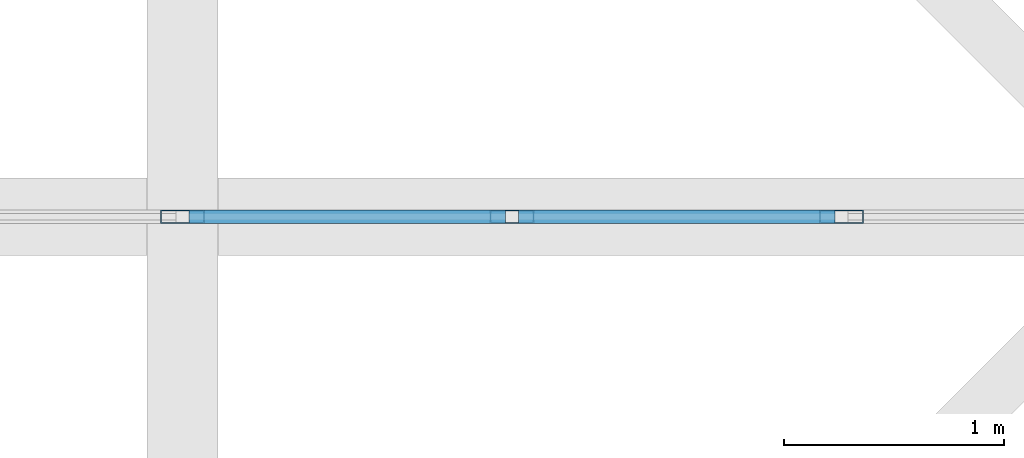
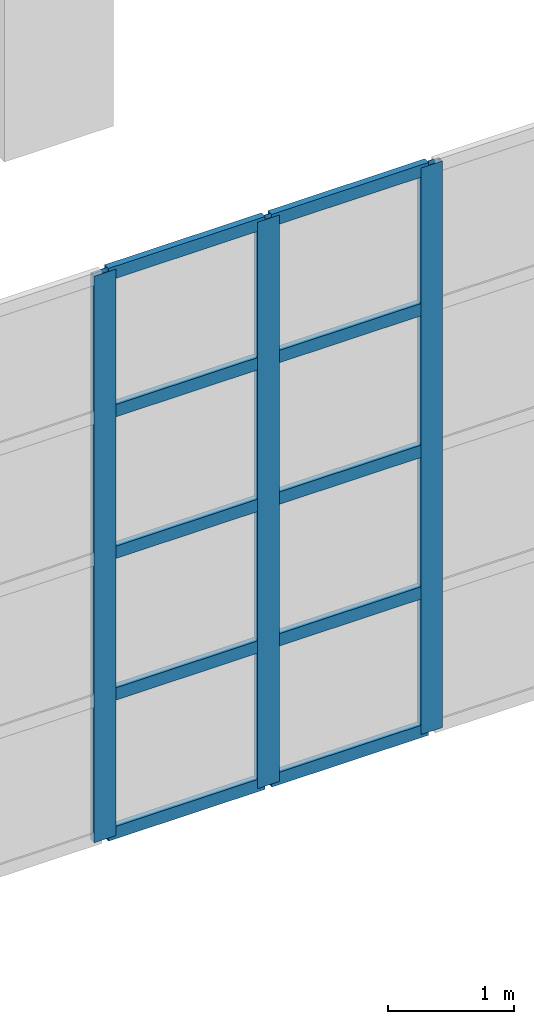
# One storey, part 164 of 437: 13 members, 1 element without a shape of its own.
"""IFC4 building model written with IfcOpenShell, lengths in metres."""

import ifcopenshell
import ifcopenshell.guid

model = None  # the IFC model being written
_history = None  # IfcOwnerHistory: only IFC2X3 demands one
_inside = {}  # id of a spatial element -> (the spatial element, [elements in it])
_under = {}  # id of a project, library or spatial element -> (it, [spatial elements below it])
_declared = {}  # id of a project -> (the project, [libraries it declares])
_typed = {}  # id of a type object -> (the type object, [elements of that type])
_made_of = {}  # id of a material, layer set ... -> (it, [elements and type objects made of it])


def new_model(schema):
    """Start an empty IFC model of exactly this schema.

    Asked for "IFC4X3", IfcOpenShell would pick the latest addendum, in which some entities
    have other attributes; the version numbers below select the first issue.
    IFC2X3 requires an IfcOwnerHistory on every rooted entity: one is made here for all.
    """
    global model, _history
    if schema == "IFC4X3":
        model = ifcopenshell.file(schema_version=(4, 3, 0, 0))
    else:
        model = ifcopenshell.file(schema=schema)
    _inside.clear()
    _under.clear()
    _declared.clear()
    _typed.clear()
    _made_of.clear()
    _history = None
    if model.schema == "IFC2X3":
        org = make("IfcOrganization", Name="unknown")
        user = make(
            "IfcPersonAndOrganization",
            ThePerson=make("IfcPerson", FamilyName="unknown"),
            TheOrganization=org,
        )
        app = make(
            "IfcApplication",
            ApplicationDeveloper=org,
            Version="unknown",
            ApplicationFullName="unknown",
            ApplicationIdentifier="unknown",
        )
        _history = make(
            "IfcOwnerHistory",
            OwningUser=user,
            OwningApplication=app,
            ChangeAction="ADDED",
            CreationDate=0,
        )
    return model


def make(cls, **values):
    """One entity of the class cls with the attributes given. An attribute that is None is left unset."""
    return model.create_entity(
        cls, **{name: value for name, value in values.items() if value is not None}
    )


def rooted(cls, **values):
    """An entity with a GlobalId (a new one), such as an element, a storey or a relation."""
    return make(cls, GlobalId=ifcopenshell.guid.new(), OwnerHistory=_history, **values)


def si_unit(unit_type, name, prefix=None):
    """IfcSIUnit, for example si_unit("LENGTHUNIT", "METRE", prefix="MILLI")."""
    return make("IfcSIUnit", UnitType=unit_type, Prefix=prefix, Name=name)


def assignment(units):
    """IfcUnitAssignment: the units of a project."""
    return None if units is None else make("IfcUnitAssignment", Units=units)


def point(xyz):
    """IfcCartesianPoint."""
    return None if xyz is None else make("IfcCartesianPoint", Coordinates=xyz)


def direction(xyz):
    """IfcDirection."""
    return None if xyz is None else make("IfcDirection", DirectionRatios=xyz)


def frame(location, z_axis=None, x_axis=None):
    """IfcAxis2Placement3D, a coordinate frame: its origin and axes. An axis left out is left unset."""
    return make(
        "IfcAxis2Placement3D",
        Location=point(location),
        Axis=direction(z_axis),
        RefDirection=direction(x_axis),
    )


def frame_2d(location, x_axis=None):
    """IfcAxis2Placement2D, a coordinate frame in the plane: its origin and x axis."""
    return make(
        "IfcAxis2Placement2D", Location=point(location), RefDirection=direction(x_axis)
    )


def origin():
    """The frame at (0, 0, 0) with its axes left unset."""
    return frame((0.0, 0.0, 0.0))


def origin_2d():
    """The frame at (0, 0) in the plane with its x axis left unset."""
    return frame_2d((0.0, 0.0))


def place(relative_to, where):
    """IfcLocalPlacement: puts the frame where relative to a parent placement (None: the world)."""
    return make(
        "IfcLocalPlacement", PlacementRelTo=relative_to, RelativePlacement=where
    )


def context(
    kind, dimensions, precision=None, world=None, true_north=None, identifier=None
):
    """IfcGeometricRepresentationContext, for example the 3D "Model" context."""
    return make(
        "IfcGeometricRepresentationContext",
        ContextIdentifier=identifier,
        ContextType=kind,
        CoordinateSpaceDimension=dimensions,
        Precision=precision,
        WorldCoordinateSystem=world,
        TrueNorth=true_north,
    )


def subcontext(parent, identifier, kind, view, scale=None):
    """IfcGeometricRepresentationSubContext, for example "Body" below "Model"."""
    return make(
        "IfcGeometricRepresentationSubContext",
        ContextIdentifier=identifier,
        ContextType=kind,
        ParentContext=parent,
        TargetScale=scale,
        TargetView=view,
    )


def project(units=None, contexts=None):
    """IfcProject with its units and contexts."""
    return rooted(
        "IfcProject",
        Name="project",
        RepresentationContexts=contexts,
        UnitsInContext=assignment(units),
    )


def spatial(cls, under=None, at=None, **own):
    """A site, building, storey or space (cls), placed at a placement, below another one or the project."""
    s = rooted(cls, ObjectPlacement=at, **own)
    if under is not None:
        _under.setdefault(under.id(), (under, []))[1].append(s)
    return s


def profile(cls, at=None, kind="AREA", **sizes):
    """A parametric profile (cls). Its sizes go by their IFC names, for example OverallWidth=200.0."""
    return make(cls, ProfileType=kind, Position=at, **sizes)


def hollow_rectangle(**sizes):
    """IfcRectangleHollowProfileDef."""
    return profile("IfcRectangleHollowProfileDef", **sizes)


def extrude(swept, where, along, depth):
    """IfcExtrudedAreaSolid: the profile swept, set in the frame where, extruded along a direction by depth."""
    return make(
        "IfcExtrudedAreaSolid",
        SweptArea=swept,
        Position=where,
        ExtrudedDirection=direction(along),
        Depth=depth,
    )


def shape(context_of_items, identifier, shape_type, items):
    """IfcShapeRepresentation: the items that make up one representation, for example the "Body"."""
    return make(
        "IfcShapeRepresentation",
        ContextOfItems=context_of_items,
        RepresentationIdentifier=identifier,
        RepresentationType=shape_type,
        Items=items,
    )


def material(Name=None, Category=None):
    """IfcMaterial."""
    return make("IfcMaterial", Name=Name, Category=Category)


def layer(
    of_material, thickness, ventilated=None, Name=None, Category=None, Priority=None
):
    """IfcMaterialLayer: one layer of a wall or slab, of a material (None: an air gap)."""
    return make(
        "IfcMaterialLayer",
        Material=of_material,
        LayerThickness=thickness,
        IsVentilated=ventilated,
        Name=Name,
        Category=Category,
        Priority=Priority,
    )


def layer_set(layers, Name=None):
    """IfcMaterialLayerSet."""
    return make("IfcMaterialLayerSet", MaterialLayers=layers, LayerSetName=Name)


def material_profile(
    of_material, cross_section, Name=None, Category=None, Priority=None
):
    """IfcMaterialProfile: a cross section and its material."""
    return make(
        "IfcMaterialProfile",
        Name=Name,
        Material=of_material,
        Profile=cross_section,
        Priority=Priority,
        Category=Category,
    )


def profile_set(profiles, Name=None, composite=None):
    """IfcMaterialProfileSet."""
    return make(
        "IfcMaterialProfileSet",
        Name=Name,
        MaterialProfiles=profiles,
        CompositeProfile=composite,
    )


def made_of(thing, what):
    """Note that an element or type object is made of a material, layer set ...; save() writes the relation."""
    if what is not None:
        _made_of.setdefault(what.id(), (what, []))[1].append(thing)
    return thing


def type_object(cls, material=None, **own):
    """A type object (cls), such as IfcWallType, which elements share."""
    return made_of(rooted(cls, **own), material)


def element(
    cls,
    number,
    at=None,
    inside=None,
    cuts=None,
    type_object=None,
    material=None,
    context=None,
    identifier="Body",
    shape_type=None,
    held_by="IfcProductDefinitionShape",
    body=None,
    shapes=None,
    **own,
):
    """One element of the class cls, such as IfcWall. Its Tag is "e" and its number.

    at: its placement. inside: the storey or other place that contains it. cuts: it is an
    opening in that element (IfcRelVoidsElement). A single representation is given by context,
    identifier, shape_type and body (its items); several are given by shapes. held_by: the class
    of the entity that holds the representations. save() writes the other relations.
    """
    e = rooted(cls, Tag="e%d" % number, ObjectPlacement=at, **own)
    if body is not None:
        shapes = [shape(context, identifier, shape_type, body)]
    if shapes is not None:
        e.Representation = make(held_by, Representations=shapes)
    if inside is not None:
        _inside.setdefault(inside.id(), (inside, []))[1].append(e)
    if cuts is not None:
        rooted(
            "IfcRelVoidsElement", RelatingBuildingElement=cuts, RelatedOpeningElement=e
        )
    if type_object is not None:
        _typed.setdefault(type_object.id(), (type_object, []))[1].append(e)
    return made_of(e, material)


def aggregate(whole, parts):
    """IfcRelAggregates: a whole, such as a stair, and the parts it consists of."""
    return rooted("IfcRelAggregates", RelatingObject=whole, RelatedObjects=parts)


def save(model, path):
    """Write the relations noted so far, then the file.

    IfcRelAggregates (storeys below a building ...), IfcRelContainedInSpatialStructure (elements
    in a storey), IfcRelDefinesByType, IfcRelAssociatesMaterial and IfcRelDeclares: one each for
    every whole, place, type object, material and project.
    """
    for whole, parts in _under.values():
        aggregate(whole, parts)
    for where, things in _inside.values():
        rooted(
            "IfcRelContainedInSpatialStructure",
            RelatedElements=things,
            RelatingStructure=where,
        )
    for kind, things in _typed.values():
        rooted("IfcRelDefinesByType", RelatedObjects=things, RelatingType=kind)
    for what, things in _made_of.values():
        rooted("IfcRelAssociatesMaterial", RelatedObjects=things, RelatingMaterial=what)
    for by, libraries in _declared.values():
        rooted("IfcRelDeclares", RelatingContext=by, RelatedDefinitions=libraries)
    model.write(path)


model = new_model("IFC4")

# Units and contexts
model_context = context("Model", 3, precision=1e-05, world=origin(), true_north=direction((0.0, 1.0)))
body_context = subcontext(model_context, "Body", "Model", "MODEL_VIEW")
ifc_project = project(units=[si_unit("LENGTHUNIT", "METRE"), si_unit("AREAUNIT", "SQUARE_METRE"), si_unit("VOLUMEUNIT", "CUBIC_METRE"), si_unit("PLANEANGLEUNIT", "RADIAN"), si_unit("MASSUNIT", "GRAM", prefix="KILO")], contexts=[model_context])

# Site, building, storey
site_placement = place(None, origin())
site = spatial("IfcSite", under=ifc_project, at=site_placement, CompositionType="ELEMENT")
building_placement = place(site_placement, origin())
building = spatial("IfcBuilding", under=site, at=building_placement, Name="Opaline Strait Convention Centre", CompositionType="ELEMENT")
storey_placement = place(building_placement, frame((0.0, 0.0, 11.5)))
storey = spatial("IfcBuildingStorey", under=building, at=storey_placement, Name="L02", CompositionType="ELEMENT", Elevation=11.5)

# Curtain wall, members
ifc_material_1 = material(Name="Aluminium framed glazing", Category="aluminium")
ifc_layer = layer(ifc_material_1, 0.199951171875)
ifc_layer_set = layer_set([ifc_layer], Name="Aluminium framed glazing")
curtain_wall_type = type_object("IfcCurtainWallType", Name="Entrance curtain wall 1500", PredefinedType="NOTDEFINED", material=ifc_layer_set)
curtain_wall_placement = place(storey_placement, origin())
curtain_wall = element("IfcCurtainWall", 1, at=curtain_wall_placement, inside=storey, type_object=curtain_wall_type, Name="Entrance curtain wall L02-R1", PredefinedType="NOTDEFINED")
ifc_material_2 = material(Name="Aluminium alloy 6063", Category="aluminium")
ifc_material_profile_1 = material_profile(ifc_material_2, hollow_rectangle(XDim=0.06005859375, YDim=0.199951171875, WallThickness=0.00390625, at=origin_2d()), Name="MULLION 60x200x4")
ifc_profile_set_1 = profile_set([ifc_material_profile_1], Name="Aluminium alloy 6063")
member_type_1 = type_object("IfcMemberType", Name="Curtain wall mullion 60 x 200", PredefinedType="MULLION", material=ifc_profile_set_1)
member_1_placement = place(storey_placement, frame((166.5, 144.0, 0.0), z_axis=(0.0, 0.0, 1.0), x_axis=(0.0, 1.0, 0.0)))
member_1 = element("IfcMember", 2, at=member_1_placement, type_object=member_type_1, Name="XCW mullion 10", PredefinedType="MULLION", context=body_context, shape_type="SweptSolid", body=[
    extrude(hollow_rectangle(XDim=0.06005859375, YDim=0.199951171875, WallThickness=0.00390625, at=origin_2d()), origin(), (0.0, 0.0, 1.0), 5.5),
])
member_2_placement = place(storey_placement, frame((168.0, 144.0, 0.0), z_axis=(0.0, 0.0, 1.0), x_axis=(0.0, 1.0, 0.0)))
member_2 = element("IfcMember", 3, at=member_2_placement, type_object=member_type_1, Name="XCW mullion 11", PredefinedType="MULLION", context=body_context, shape_type="SweptSolid", body=[
    extrude(hollow_rectangle(XDim=0.06005859375, YDim=0.199951171875, WallThickness=0.00390625, at=origin_2d()), origin(), (0.0, 0.0, 1.0), 5.5),
])
member_3_placement = place(storey_placement, frame((169.5, 144.0, 0.0), z_axis=(0.0, 0.0, 1.0), x_axis=(0.0, 1.0, 0.0)))
member_3 = element("IfcMember", 4, at=member_3_placement, type_object=member_type_1, Name="XCW mullion 12", PredefinedType="MULLION", context=body_context, shape_type="SweptSolid", body=[
    extrude(hollow_rectangle(XDim=0.06005859375, YDim=0.199951171875, WallThickness=0.00390625, at=origin_2d()), origin(), (0.0, 0.0, 1.0), 5.5),
])
ifc_material_profile_2 = material_profile(ifc_material_2, hollow_rectangle(XDim=0.06005859375, YDim=0.1201171875, WallThickness=0.0029296875, at=origin_2d()), Name="TRANSOM 60x120x3")
ifc_profile_set_2 = profile_set([ifc_material_profile_2], Name="Aluminium alloy 6063")
member_type_2 = type_object("IfcMemberType", Name="Curtain wall transom 60 x 120", PredefinedType="USERDEFINED", material=ifc_profile_set_2)
member_4_placement = place(storey_placement, frame((166.530029296875, 144.0, 0.030029296875), z_axis=(1.0, 0.0, 0.0), x_axis=(0.0, 1.0, 0.0)))
member_4 = element("IfcMember", 5, at=member_4_placement, type_object=member_type_2, Name="XCW transom 10.1", ObjectType="TRANSOM", PredefinedType="USERDEFINED", context=body_context, shape_type="SweptSolid", body=[
    extrude(hollow_rectangle(XDim=0.06005859375, YDim=0.1201171875, WallThickness=0.0029296875, at=origin_2d()), origin(), (0.0, 0.0, 1.0), 1.43994140625),
])
member_5_placement = place(storey_placement, frame((166.530029296875, 144.0, 1.375), z_axis=(1.0, 0.0, 0.0), x_axis=(0.0, 1.0, 0.0)))
member_5 = element("IfcMember", 6, at=member_5_placement, type_object=member_type_2, Name="XCW transom 10.2", ObjectType="TRANSOM", PredefinedType="USERDEFINED", context=body_context, shape_type="SweptSolid", body=[
    extrude(hollow_rectangle(XDim=0.06005859375, YDim=0.1201171875, WallThickness=0.0029296875, at=origin_2d()), origin(), (0.0, 0.0, 1.0), 1.43994140625),
])
member_6_placement = place(storey_placement, frame((166.530029296875, 144.0, 2.75), z_axis=(1.0, 0.0, 0.0), x_axis=(0.0, 1.0, 0.0)))
member_6 = element("IfcMember", 7, at=member_6_placement, type_object=member_type_2, Name="XCW transom 10.3", ObjectType="TRANSOM", PredefinedType="USERDEFINED", context=body_context, shape_type="SweptSolid", body=[
    extrude(hollow_rectangle(XDim=0.06005859375, YDim=0.1201171875, WallThickness=0.0029296875, at=origin_2d()), origin(), (0.0, 0.0, 1.0), 1.43994140625),
])
member_7_placement = place(storey_placement, frame((166.530029296875, 144.0, 4.125), z_axis=(1.0, 0.0, 0.0), x_axis=(0.0, 1.0, 0.0)))
member_7 = element("IfcMember", 8, at=member_7_placement, type_object=member_type_2, Name="XCW transom 10.4", ObjectType="TRANSOM", PredefinedType="USERDEFINED", context=body_context, shape_type="SweptSolid", body=[
    extrude(hollow_rectangle(XDim=0.06005859375, YDim=0.1201171875, WallThickness=0.0029296875, at=origin_2d()), origin(), (0.0, 0.0, 1.0), 1.43994140625),
])
member_8_placement = place(storey_placement, frame((166.530029296875, 144.0, 5.469970703125), z_axis=(1.0, 0.0, 0.0), x_axis=(0.0, 1.0, 0.0)))
member_8 = element("IfcMember", 9, at=member_8_placement, type_object=member_type_2, Name="XCW transom 10.5", ObjectType="TRANSOM", PredefinedType="USERDEFINED", context=body_context, shape_type="SweptSolid", body=[
    extrude(hollow_rectangle(XDim=0.06005859375, YDim=0.1201171875, WallThickness=0.0029296875, at=origin_2d()), origin(), (0.0, 0.0, 1.0), 1.43994140625),
])
member_9_placement = place(storey_placement, frame((168.030029296875, 144.0, 0.030029296875), z_axis=(1.0, 0.0, 0.0), x_axis=(0.0, 1.0, 0.0)))
member_9 = element("IfcMember", 10, at=member_9_placement, type_object=member_type_2, Name="XCW transom 11.1", ObjectType="TRANSOM", PredefinedType="USERDEFINED", context=body_context, shape_type="SweptSolid", body=[
    extrude(hollow_rectangle(XDim=0.06005859375, YDim=0.1201171875, WallThickness=0.0029296875, at=origin_2d()), origin(), (0.0, 0.0, 1.0), 1.43994140625),
])
member_10_placement = place(storey_placement, frame((168.030029296875, 144.0, 1.375), z_axis=(1.0, 0.0, 0.0), x_axis=(0.0, 1.0, 0.0)))
member_10 = element("IfcMember", 11, at=member_10_placement, type_object=member_type_2, Name="XCW transom 11.2", ObjectType="TRANSOM", PredefinedType="USERDEFINED", context=body_context, shape_type="SweptSolid", body=[
    extrude(hollow_rectangle(XDim=0.06005859375, YDim=0.1201171875, WallThickness=0.0029296875, at=origin_2d()), origin(), (0.0, 0.0, 1.0), 1.43994140625),
])
member_11_placement = place(storey_placement, frame((168.030029296875, 144.0, 2.75), z_axis=(1.0, 0.0, 0.0), x_axis=(0.0, 1.0, 0.0)))
member_11 = element("IfcMember", 12, at=member_11_placement, type_object=member_type_2, Name="XCW transom 11.3", ObjectType="TRANSOM", PredefinedType="USERDEFINED", context=body_context, shape_type="SweptSolid", body=[
    extrude(hollow_rectangle(XDim=0.06005859375, YDim=0.1201171875, WallThickness=0.0029296875, at=origin_2d()), origin(), (0.0, 0.0, 1.0), 1.43994140625),
])
member_12_placement = place(storey_placement, frame((168.030029296875, 144.0, 4.125), z_axis=(1.0, 0.0, 0.0), x_axis=(0.0, 1.0, 0.0)))
member_12 = element("IfcMember", 13, at=member_12_placement, type_object=member_type_2, Name="XCW transom 11.4", ObjectType="TRANSOM", PredefinedType="USERDEFINED", context=body_context, shape_type="SweptSolid", body=[
    extrude(hollow_rectangle(XDim=0.06005859375, YDim=0.1201171875, WallThickness=0.0029296875, at=origin_2d()), origin(), (0.0, 0.0, 1.0), 1.43994140625),
])
member_13_placement = place(storey_placement, frame((168.030029296875, 144.0, 5.469970703125), z_axis=(1.0, 0.0, 0.0), x_axis=(0.0, 1.0, 0.0)))
member_13 = element("IfcMember", 14, at=member_13_placement, type_object=member_type_2, Name="XCW transom 11.5", ObjectType="TRANSOM", PredefinedType="USERDEFINED", context=body_context, shape_type="SweptSolid", body=[
    extrude(hollow_rectangle(XDim=0.06005859375, YDim=0.1201171875, WallThickness=0.0029296875, at=origin_2d()), origin(), (0.0, 0.0, 1.0), 1.43994140625),
])
aggregate(curtain_wall, [member_1, member_2, member_3, member_4, member_5, member_6, member_7, member_8, member_9, member_10, member_11, member_12, member_13])

save(model, "model.ifc")
